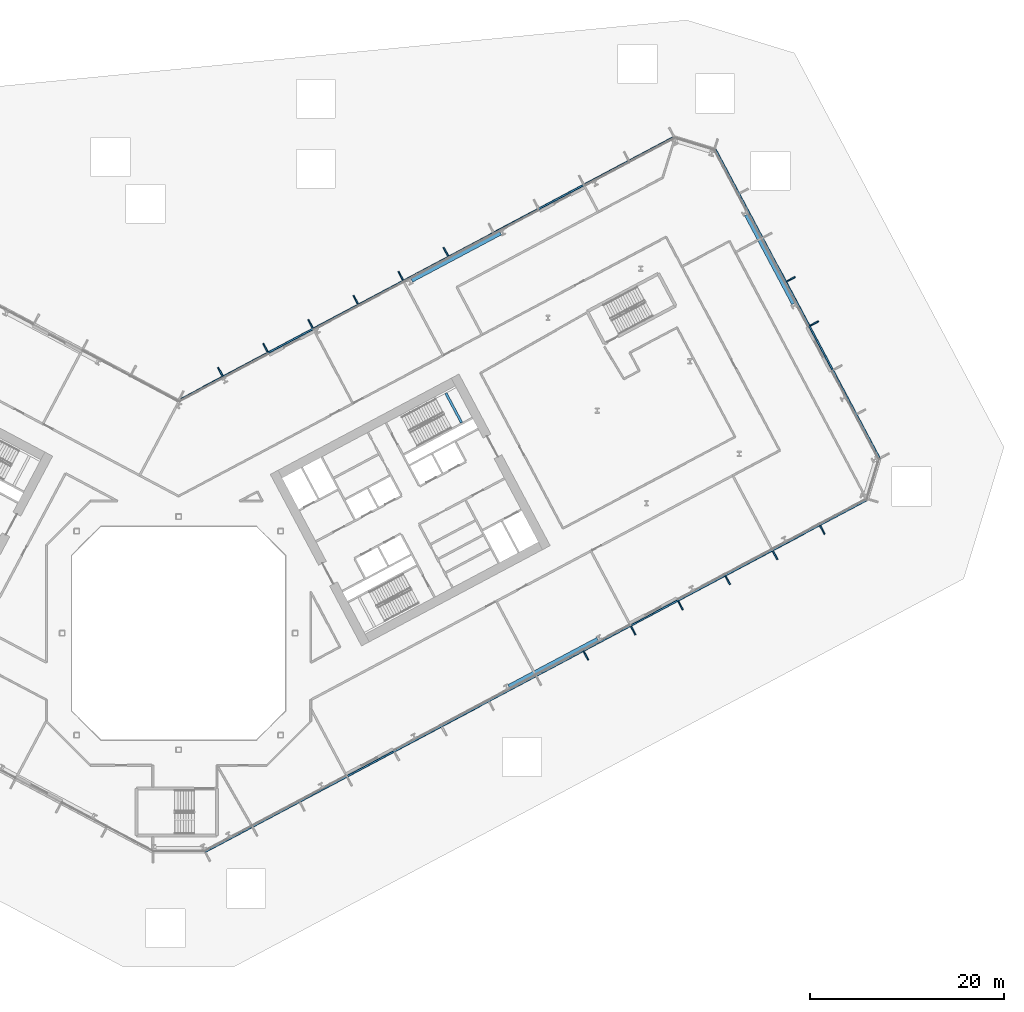
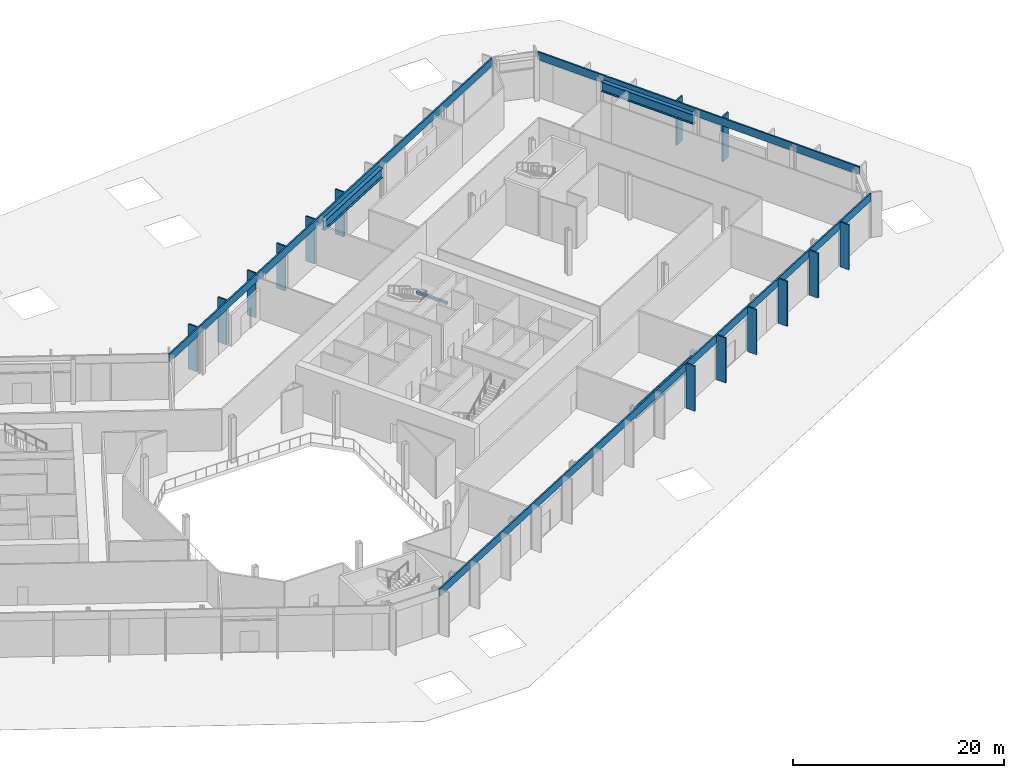
# One storey, part 7 of 30: 17 members, 4 beams, 3 elements without a shape of their own.
"""IFC4 building model written with IfcOpenShell, lengths in metres."""

from ifc_helpers import new_model, si_unit, direction, frame, origin, origin_2d, place, context, subcontext, project, spatial, rectangle, i_section, extrude, material, layer, layer_set, material_profile, profile_set, type_object, element, aggregate, save


model = new_model("IFC4")

# Units and contexts
model_context = context("Model", 3, precision=1e-05, world=origin(), true_north=direction((0.0, 1.0)))
body_context = subcontext(model_context, "Body", "Model", "MODEL_VIEW")
ifc_project = project(units=[si_unit("LENGTHUNIT", "METRE"), si_unit("AREAUNIT", "SQUARE_METRE"), si_unit("VOLUMEUNIT", "CUBIC_METRE"), si_unit("PLANEANGLEUNIT", "RADIAN"), si_unit("MASSUNIT", "GRAM", prefix="KILO")], contexts=[model_context])

# Site, building, storey
site_placement = place(None, origin())
site = spatial("IfcSite", under=ifc_project, at=site_placement, CompositionType="ELEMENT")
building_placement = place(site_placement, origin())
building = spatial("IfcBuilding", under=site, at=building_placement, Name="Cormorant Relay Tower", CompositionType="ELEMENT")
storey_placement = place(building_placement, frame((0.0, 0.0, 7.0)))
storey = spatial("IfcBuildingStorey", under=building, at=storey_placement, Name="L01", CompositionType="ELEMENT", Elevation=7.0)

# Curtain wall, members
ifc_material_1 = material(Name="Aluminium 6063-T6 anodised bronze", Category="aluminium")
ifc_layer = layer(ifc_material_1, 0.235107421875)
ifc_layer_set = layer_set([ifc_layer], Name="CW6 data hall curtain wall with mineral wool panels")
curtain_wall_type = type_object("IfcCurtainWallType", Name="CW6 data hall curtain wall with mineral wool panels", PredefinedType="NOTDEFINED", material=ifc_layer_set)
curtain_wall_1_placement = place(storey_placement, origin())
curtain_wall_1 = element("IfcCurtainWall", 1, at=curtain_wall_1_placement, inside=storey, type_object=curtain_wall_type, Name="CW6 curtain wall 2", PredefinedType="NOTDEFINED")
ifc_material_2 = material(Name="Aluminium 6063-T6 anodised bronze", Category="aluminium")
ifc_material_profile_1 = material_profile(ifc_material_2, rectangle(XDim=0.14990234375, YDim=1.0, at=origin_2d()), Name="AL 150x1000")
ifc_profile_set_1 = profile_set([ifc_material_profile_1], Name="Aluminium 6063-T6 anodised bronze")
member_type_1 = type_object("IfcMemberType", Name="CW6 bronze fin mullion 150 x 1000", PredefinedType="MULLION", material=ifc_profile_set_1)
member_1_placement = place(storey_placement, frame((41.92724609375, -2.3232421875, 0.0), z_axis=(0.0, 0.0, 1.0), x_axis=(0.882947592859, 0.469471562786, 0.0)))
member_1 = element("IfcMember", 2, at=member_1_placement, type_object=member_type_1, Name="CW6 fin 2.9", PredefinedType="MULLION", context=body_context, shape_type="SweptSolid", body=[
    extrude(rectangle(XDim=0.14990234375, YDim=1.0, at=origin_2d()), origin(), (0.0, 0.0, 1.0), 5.199951171875),
])
member_2_placement = place(storey_placement, frame((46.7939453125, 0.264404296875, 0.0), z_axis=(0.0, 0.0, 1.0), x_axis=(0.882947592859, 0.469471562786, 0.0)))
member_2 = element("IfcMember", 3, at=member_2_placement, type_object=member_type_1, Name="CW6 fin 2.10", PredefinedType="MULLION", context=body_context, shape_type="SweptSolid", body=[
    extrude(rectangle(XDim=0.14990234375, YDim=1.0, at=origin_2d()), origin(), (0.0, 0.0, 1.0), 5.199951171875),
])
member_3_placement = place(storey_placement, frame((51.66064453125, 2.85205078125, 0.0), z_axis=(0.0, 0.0, 1.0), x_axis=(0.882947592859, 0.469471562786, 0.0)))
member_3 = element("IfcMember", 4, at=member_3_placement, type_object=member_type_1, Name="CW6 fin 2.11", PredefinedType="MULLION", context=body_context, shape_type="SweptSolid", body=[
    extrude(rectangle(XDim=0.14990234375, YDim=1.0, at=origin_2d()), origin(), (0.0, 0.0, 1.0), 5.199951171875),
])
member_4_placement = place(storey_placement, frame((56.52734375, 5.439697265625, 0.0), z_axis=(0.0, 0.0, 1.0), x_axis=(0.882947592859, 0.469471562786, 0.0)))
member_4 = element("IfcMember", 5, at=member_4_placement, type_object=member_type_1, Name="CW6 fin 2.12", PredefinedType="MULLION", context=body_context, shape_type="SweptSolid", body=[
    extrude(rectangle(XDim=0.14990234375, YDim=1.0, at=origin_2d()), origin(), (0.0, 0.0, 1.0), 5.199951171875),
])
member_5_placement = place(storey_placement, frame((61.39404296875, 8.02734375, 0.0), z_axis=(0.0, 0.0, 1.0), x_axis=(0.882947592859, 0.469471562786, 0.0)))
member_5 = element("IfcMember", 6, at=member_5_placement, type_object=member_type_1, Name="CW6 fin 2.13", PredefinedType="MULLION", context=body_context, shape_type="SweptSolid", body=[
    extrude(rectangle(XDim=0.14990234375, YDim=1.0, at=origin_2d()), origin(), (0.0, 0.0, 1.0), 5.199951171875),
])
member_6_placement = place(storey_placement, frame((66.2607421875, 10.614990234375, 0.0), z_axis=(0.0, 0.0, 1.0), x_axis=(0.882947592859, 0.469471562786, 0.0)))
member_6 = element("IfcMember", 7, at=member_6_placement, type_object=member_type_1, Name="CW6 fin 2.14", PredefinedType="MULLION", context=body_context, shape_type="SweptSolid", body=[
    extrude(rectangle(XDim=0.14990234375, YDim=1.0, at=origin_2d()), origin(), (0.0, 0.0, 1.0), 5.199951171875),
])

curtain_wall_2_placement = place(storey_placement, origin())
curtain_wall_2 = element("IfcCurtainWall", 8, at=curtain_wall_2_placement, inside=storey, type_object=curtain_wall_type, Name="CW6 curtain wall 4", PredefinedType="NOTDEFINED")
member_7_placement = place(storey_placement, frame((65.428466796875, 31.876708984375, 0.0), z_axis=(0.0, 0.0, 1.0), x_axis=(-0.469471562786, 0.882947592859, 0.0)))
member_7 = element("IfcMember", 9, at=member_7_placement, type_object=member_type_1, Name="CW6 fin 4.4", PredefinedType="MULLION", context=body_context, shape_type="SweptSolid", body=[
    extrude(rectangle(XDim=0.14990234375, YDim=1.0, at=origin_2d()), origin(), (0.0, 0.0, 1.0), 5.199951171875),
])
member_8_placement = place(storey_placement, frame((63.013916015625, 36.41748046875, 0.0), z_axis=(0.0, 0.0, 1.0), x_axis=(-0.469471562786, 0.882947592859, 0.0)))
member_8 = element("IfcMember", 10, at=member_8_placement, type_object=member_type_1, Name="CW6 fin 4.5", PredefinedType="MULLION", context=body_context, shape_type="SweptSolid", body=[
    extrude(rectangle(XDim=0.14990234375, YDim=1.0, at=origin_2d()), origin(), (0.0, 0.0, 1.0), 5.199951171875),
])

curtain_wall_3_placement = place(storey_placement, origin())
curtain_wall_3 = element("IfcCurtainWall", 11, at=curtain_wall_3_placement, inside=storey, type_object=curtain_wall_type, Name="CW6 curtain wall 6", PredefinedType="NOTDEFINED")
member_9_placement = place(storey_placement, frame((27.50830078125, 39.242919921875, 0.0), z_axis=(0.0, 0.0, 1.0), x_axis=(-0.882947592859, -0.469471562786, 0.0)))
member_9 = element("IfcMember", 12, at=member_9_placement, type_object=member_type_1, Name="CW6 fin 6.6", PredefinedType="MULLION", context=body_context, shape_type="SweptSolid", body=[
    extrude(rectangle(XDim=0.14990234375, YDim=1.0, at=origin_2d()), origin(), (0.0, 0.0, 1.0), 5.199951171875),
])
member_10_placement = place(storey_placement, frame((22.8662109375, 36.7744140625, 0.0), z_axis=(0.0, 0.0, 1.0), x_axis=(-0.882947592859, -0.469471562786, 0.0)))
member_10 = element("IfcMember", 13, at=member_10_placement, type_object=member_type_1, Name="CW6 fin 6.7", PredefinedType="MULLION", context=body_context, shape_type="SweptSolid", body=[
    extrude(rectangle(XDim=0.14990234375, YDim=1.0, at=origin_2d()), origin(), (0.0, 0.0, 1.0), 5.199951171875),
])
member_11_placement = place(storey_placement, frame((18.223876953125, 34.30615234375, 0.0), z_axis=(0.0, 0.0, 1.0), x_axis=(-0.882947592859, -0.469471562786, 0.0)))
member_11 = element("IfcMember", 14, at=member_11_placement, type_object=member_type_1, Name="CW6 fin 6.8", PredefinedType="MULLION", context=body_context, shape_type="SweptSolid", body=[
    extrude(rectangle(XDim=0.14990234375, YDim=1.0, at=origin_2d()), origin(), (0.0, 0.0, 1.0), 5.199951171875),
])
member_12_placement = place(storey_placement, frame((13.58154296875, 31.837890625, 0.0), z_axis=(0.0, 0.0, 1.0), x_axis=(-0.882947592859, -0.469471562786, 0.0)))
member_12 = element("IfcMember", 15, at=member_12_placement, type_object=member_type_1, Name="CW6 fin 6.9", PredefinedType="MULLION", context=body_context, shape_type="SweptSolid", body=[
    extrude(rectangle(XDim=0.14990234375, YDim=1.0, at=origin_2d()), origin(), (0.0, 0.0, 1.0), 5.199951171875),
])
member_13_placement = place(storey_placement, frame((8.939453125, 29.36962890625, 0.0), z_axis=(0.0, 0.0, 1.0), x_axis=(-0.882947592859, -0.469471562786, 0.0)))
member_13 = element("IfcMember", 16, at=member_13_placement, type_object=member_type_1, Name="CW6 fin 6.10", PredefinedType="MULLION", context=body_context, shape_type="SweptSolid", body=[
    extrude(rectangle(XDim=0.14990234375, YDim=1.0, at=origin_2d()), origin(), (0.0, 0.0, 1.0), 5.199951171875),
])
member_14_placement = place(storey_placement, frame((4.297119140625, 26.9013671875, 0.0), z_axis=(0.0, 0.0, 1.0), x_axis=(-0.882947592859, -0.469471562786, 0.0)))
member_14 = element("IfcMember", 17, at=member_14_placement, type_object=member_type_1, Name="CW6 fin 6.11", PredefinedType="MULLION", context=body_context, shape_type="SweptSolid", body=[
    extrude(rectangle(XDim=0.14990234375, YDim=1.0, at=origin_2d()), origin(), (0.0, 0.0, 1.0), 5.199951171875),
])

# Member
ifc_material_3 = material(Name="Aluminium 6063-T6 anodised bronze", Category="aluminium")
ifc_material_profile_2 = material_profile(ifc_material_3, rectangle(XDim=0.159912109375, YDim=0.89990234375, at=origin_2d()), Name="AL 160x900")
ifc_profile_set_2 = profile_set([ifc_material_profile_2], Name="Aluminium 6063-T6 anodised bronze")
member_type_2 = type_object("IfcMemberType", Name="CW6 bronze transom 160 x 900", PredefinedType="USERDEFINED", material=ifc_profile_set_2)
member_15_placement = place(storey_placement, frame((2.7216796875, -22.512451171875, 4.75), z_axis=(0.882946645884, 0.469473343783, 0.0), x_axis=(-0.469473343783, 0.882946645884, 0.0)))
member_15 = element("IfcMember", 18, at=member_15_placement, type_object=member_type_2, Name="CW6 transom 2", ObjectType="TRANSOM", PredefinedType="USERDEFINED", context=body_context, shape_type="SweptSolid", body=[
    extrude(rectangle(XDim=0.159912109375, YDim=0.89990234375, at=origin_2d()), origin(), (0.0, 0.0, 1.0), 77.165771484375),
])

aggregate(curtain_wall_1, [member_1, member_2, member_3, member_4, member_5, member_6, member_15])

member_16_placement = place(storey_placement, frame((72.15966796875, 17.981689453125, 4.75), z_axis=(-0.469474517326, 0.882946021896, 0.0), x_axis=(-0.882946021896, -0.469474517326, 0.0)))
member_16 = element("IfcMember", 19, at=member_16_placement, type_object=member_type_2, Name="CW6 transom 4", ObjectType="TRANSOM", PredefinedType="USERDEFINED", context=body_context, shape_type="SweptSolid", body=[
    extrude(rectangle(XDim=0.159912109375, YDim=0.89990234375, at=origin_2d()), origin(), (0.0, 0.0, 1.0), 36.0),
])

aggregate(curtain_wall_2, [member_7, member_8, member_16])

member_17_placement = place(storey_placement, frame((50.99169921875, 51.072265625, 4.75), z_axis=(-0.882948196078, -0.469470428295, 0.0), x_axis=(0.469470428295, -0.882948196078, 0.0)))
member_17 = element("IfcMember", 20, at=member_17_placement, type_object=member_type_2, Name="CW6 transom 6", ObjectType="TRANSOM", PredefinedType="USERDEFINED", context=body_context, shape_type="SweptSolid", body=[
    extrude(rectangle(XDim=0.159912109375, YDim=0.89990234375, at=origin_2d()), origin(), (0.0, 0.0, 1.0), 57.833984375),
])

aggregate(curtain_wall_3, [member_9, member_10, member_11, member_12, member_13, member_14, member_17])

# Beams
ifc_material_4 = material(Name="Steel ASTM A992 (Fy 345 MPa)", Category="steel")
ifc_material_profile_3 = material_profile(ifc_material_4, i_section(OverallWidth=0.408935546875, OverallDepth=1.137939453125, WebThickness=0.031005859375, FlangeThickness=0.05517578125, FilletRadius=0.02001953125, at=origin_2d()), Name="W1100x607")
ifc_profile_set_3 = profile_set([ifc_material_profile_3], Name="Steel ASTM A992 (Fy 345 MPa)")
beam_type_1 = type_object("IfcBeamType", Name="Spandrel W1100x607", PredefinedType="SPANDREL", material=ifc_profile_set_3)
for number, where, z_axis, x_axis, name in (
    (21, (33.9716796875, -5.4892578125, 4.18115234375), (0.882947604656, 0.469471540599, 0.0), (-0.469471540599, 0.882947604656, 0.0), "Spandrel beam L01-002"),
    (22, (63.289306640625, 33.898681640625, 4.18115234375), (-0.469471540599, 0.882947604656, 0.0), (-0.882947604656, -0.469471540599, 0.0), "Spandrel beam L01-004"),
):
    element("IfcBeam", number, at=place(storey_placement, frame(where, z_axis=z_axis, x_axis=x_axis)), inside=storey, type_object=beam_type_1, Name=name, PredefinedType="SPANDREL", context=body_context, shape_type="SweptSolid", body=[
        extrude(i_section(OverallWidth=0.408935546875, OverallDepth=1.137939453125, WebThickness=0.031005859375, FlangeThickness=0.05517578125, FilletRadius=0.02001953125, at=origin_2d()), origin(), (0.0, 0.0, 1.0), 10.36376953125),
    ])
beam_1_placement = place(storey_placement, frame((33.132080078125, 41.169189453125, 4.18115234375), z_axis=(-0.882942412403, -0.469481305677, 0.0), x_axis=(0.469481305677, -0.882942412403, 0.0)))
element("IfcBeam", 23, at=beam_1_placement, inside=storey, type_object=beam_type_1, Name="Spandrel beam L01-006", PredefinedType="SPANDREL", context=body_context, shape_type="SweptSolid", body=[
    extrude(i_section(OverallWidth=0.408935546875, OverallDepth=1.137939453125, WebThickness=0.031005859375, FlangeThickness=0.05517578125, FilletRadius=0.02001953125, at=origin_2d()), origin(), (0.0, 0.0, 1.0), 10.363525390625),
])
ifc_material_5 = material(Name="Concrete 50 MPa", Category="concrete")
ifc_material_profile_4 = material_profile(ifc_material_5, rectangle(XDim=0.25, YDim=0.300048828125, at=origin_2d()), Name="RC 250x300")
ifc_profile_set_4 = profile_set([ifc_material_profile_4], Name="Concrete 50 MPa")
beam_type_2 = type_object("IfcBeamType", Name="Stair landing ledge beam 250x300", PredefinedType="BEAM", material=ifc_profile_set_4)
beam_2_placement = place(storey_placement, frame((29.1259765625, 21.6591796875, 2.25), z_axis=(-0.469493252696, 0.882936059788, 0.0), x_axis=(-0.882936059788, -0.469493252696, 0.0)))
element("IfcBeam", 24, at=beam_2_placement, inside=storey, type_object=beam_type_2, Name="B2 landing ledge beam", PredefinedType="BEAM", context=body_context, shape_type="SweptSolid", body=[
    extrude(rectangle(XDim=0.25, YDim=0.300048828125, at=origin_2d()), origin(), (0.0, 0.0, 1.0), 3.44970703125),
])

save(model, "model.ifc")
